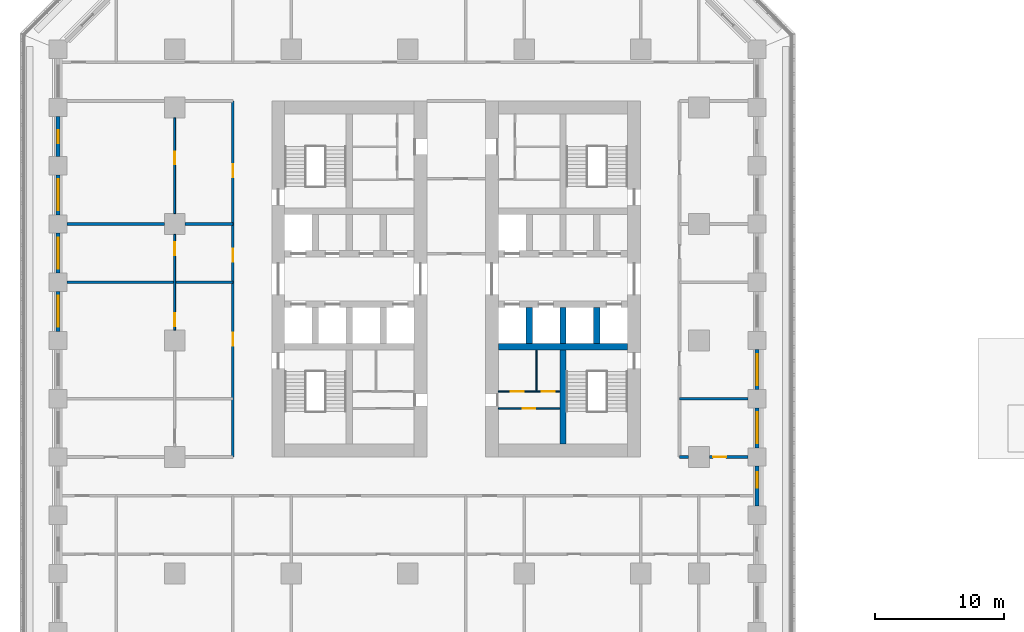
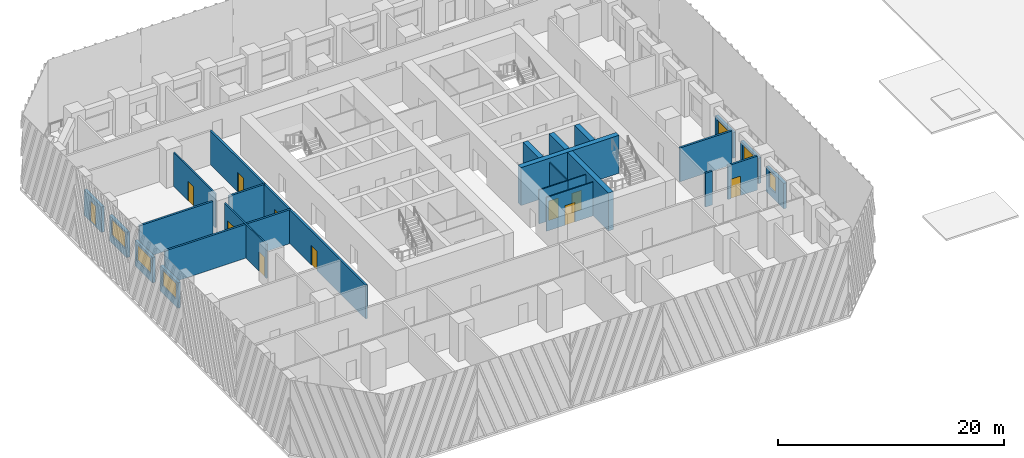
# One storey, part 5 of 15: 25 walls, 11 doors, 6 windows, 17 openings.
"""IFC4 building model written with IfcOpenShell, lengths in metres."""

from ifc_helpers import new_model, si_unit, direction, frame, frame_2d, origin, place, context, subcontext, project, spatial, rectangle, extrude, material, layer, layer_set, type_object, element, fill, save


model = new_model("IFC4")

# Units and contexts
model_context = context("Model", 3, precision=1e-05, world=origin(), true_north=direction((0.0, 1.0)))
body_context = subcontext(model_context, "Body", "Model", "MODEL_VIEW")
ifc_project = project(units=[si_unit("LENGTHUNIT", "METRE"), si_unit("AREAUNIT", "SQUARE_METRE"), si_unit("VOLUMEUNIT", "CUBIC_METRE"), si_unit("PLANEANGLEUNIT", "RADIAN"), si_unit("MASSUNIT", "GRAM", prefix="KILO")], contexts=[model_context])

# Site, building, storey
site_placement = place(None, origin())
site = spatial("IfcSite", under=ifc_project, at=site_placement, CompositionType="ELEMENT")
building_placement = place(site_placement, origin())
building = spatial("IfcBuilding", under=site, at=building_placement, Name="Corbel Stack Research Tower", CompositionType="ELEMENT")
storey_placement = place(building_placement, frame((0.0, 0.0, 23.60009765625)))
storey = spatial("IfcBuildingStorey", under=building, at=storey_placement, Name="L05", CompositionType="ELEMENT", Elevation=23.60009765625)

# Walls
ifc_material_1 = material(Name="Concrete C70/85", Category="concrete")
ifc_layer_1 = layer(ifc_material_1, 0.5)
ifc_layer_set_1 = layer_set([ifc_layer_1], Name="Concrete C70/85")
wall_type_1 = type_object("IfcWallType", Name="CW-500-70", PredefinedType="SHEAR", material=ifc_layer_set_1)
wall_1_placement = place(storey_placement, frame((7.0, -0.5, 0.0), z_axis=(0.0, 0.0, 1.0), x_axis=(1.0, 0.0, 0.0)))
element("IfcWall", 1, at=wall_1_placement, inside=storey, type_object=wall_type_1, Name="East core wall, south row back L05", PredefinedType="SHEAR", context=body_context, shape_type="SweptSolid", body=[
    extrude(rectangle(XDim=10.0, YDim=0.5, at=frame_2d((5.0, 0.0))), origin(), (0.0, 0.0, 1.0), 4.099853515625),
])
for number, where, z_axis, x_axis, name in (
    (2, (9.375, -0.25, 0.0), (0.0, 0.0, 1.0), (0.0, 1.0, 0.0), "East core wall, south shaft 1 L05"),
    (3, (12.0, -0.25, 0.0), (0.0, 0.0, 1.0), (0.0, 1.0, 0.0), "East core wall, south shaft 2 L05"),
    (4, (14.625, -0.25, 0.0), (0.0, 0.0, 1.0), (0.0, 1.0, 0.0), "East core wall, south shaft 3 L05"),
):
    element("IfcWall", number, at=place(storey_placement, frame(where, z_axis=z_axis, x_axis=x_axis)), inside=storey, type_object=wall_type_1, Name=name, PredefinedType="SHEAR", context=body_context, shape_type="SweptSolid", body=[
        extrude(rectangle(XDim=2.800048828125, YDim=0.5, at=frame_2d((1.39990234375, 0.0))), origin(), (0.0, 0.0, 1.0), 4.099853515625),
    ])
wall_2_placement = place(storey_placement, frame((12.0, -8.0, 0.0), z_axis=(0.0, 0.0, 1.0), x_axis=(0.0, 1.0, 0.0)))
element("IfcWall", 5, at=wall_2_placement, inside=storey, type_object=wall_type_1, Name="East core wall, south stair and WC L05", PredefinedType="SHEAR", context=body_context, shape_type="SweptSolid", body=[
    extrude(rectangle(XDim=7.25, YDim=0.5, at=frame_2d((3.625, 0.0))), origin(), (0.0, 0.0, 1.0), 4.099853515625),
])

# Wall, opening, door
ifc_material_2 = material(Name="Gypsum board")
ifc_layer_2 = layer(ifc_material_2, 0.10009765625)
ifc_layer_set_2 = layer_set([ifc_layer_2], Name="Gypsum board")
wall_type_2 = type_object("IfcWallType", Name="Core partition 100", PredefinedType="PARTITIONING", material=ifc_layer_set_2)
wall_3_placement = place(storey_placement, frame((7.0, -5.2451171875, 0.0), z_axis=(0.0, 0.0, 1.0), x_axis=(1.0, 0.0, 0.0)))
wall_3 = element("IfcWall", 6, at=wall_3_placement, inside=storey, type_object=wall_type_2, Name="Core partition E", PredefinedType="PARTITIONING", context=body_context, shape_type="SweptSolid", body=[
    extrude(rectangle(XDim=4.75, YDim=0.10009765625, at=frame_2d((2.375, 0.0))), origin(), (0.0, 0.0, 1.0), 3.64990234375),
])
opening_1_placement = place(wall_3_placement, frame((1.875, 0.0, 0.0)))
opening_1 = element("IfcOpeningElement", 7, at=opening_1_placement, cuts=wall_3, Name="Opening CR-E24-W2-1000", PredefinedType="OPENING", context=body_context, shape_type="SweptSolid", body=[
    extrude(rectangle(XDim=1.0, YDim=2.10009765625, at=frame_2d((0.5, 1.050048828125))), frame((0.0, 0.06005859375, 0.0), z_axis=(0.0, -1.0, 0.0), x_axis=(1.0, 0.0, 0.0)), (0.0, 0.0, 1.0), 0.1201171875),
])
ifc_material_3 = material(Name="Painted timber door", Category="wood")
door_type_1 = type_object("IfcDoorType", Name="WC door 1000 x 2100 left hand", OperationType="SINGLE_SWING_LEFT", PredefinedType="DOOR", material=ifc_material_3)
door_1_placement = place(opening_1_placement, origin())
door_1 = element("IfcDoor", 8, at=door_1_placement, inside=storey, type_object=door_type_1, Name="Men's WC door E core", OperationType="SINGLE_SWING_LEFT", OverallHeight=2.10009765625, OverallWidth=1.0, PredefinedType="DOOR", context=body_context, shape_type="SweptSolid", body=[
    extrude(rectangle(XDim=1.0, YDim=2.10009765625, at=frame_2d((0.5, 1.050048828125))), frame((0.0, 0.02490234375, 0.0), z_axis=(0.0, -1.0, 0.0), x_axis=(1.0, 0.0, 0.0)), (0.0, 0.0, 1.0), 0.050048828125),
])
fill(opening_1, door_1)

wall_4_placement = place(storey_placement, frame((7.0, -3.93994140625, 0.0), z_axis=(0.0, 0.0, 1.0), x_axis=(1.0, 0.0, 0.0)))
wall_4 = element("IfcWall", 9, at=wall_4_placement, inside=storey, type_object=wall_type_2, Name="Core partition E", PredefinedType="PARTITIONING", context=body_context, shape_type="SweptSolid", body=[
    extrude(rectangle(XDim=2.945068359375, YDim=0.10009765625, at=frame_2d((1.47265625, 0.0))), origin(), (0.0, 0.0, 1.0), 3.64990234375),
])
opening_2_placement = place(wall_4_placement, frame((0.972412109375, 0.0, 0.0)))
opening_2 = element("IfcOpeningElement", 10, at=opening_2_placement, cuts=wall_4, Name="Opening CR-E24-W3-1000", PredefinedType="OPENING", context=body_context, shape_type="SweptSolid", body=[
    extrude(rectangle(XDim=1.0, YDim=2.10009765625, at=frame_2d((0.5, 1.050048828125))), frame((0.0, 0.06005859375, 0.0), z_axis=(0.0, -1.0, 0.0), x_axis=(1.0, 0.0, 0.0)), (0.0, 0.0, 1.0), 0.1201171875),
])
ifc_material_4 = material(Name="Painted timber door", Category="wood")
door_type_2 = type_object("IfcDoorType", Name="WC door 1000 x 2100 right hand", OperationType="SINGLE_SWING_RIGHT", PredefinedType="DOOR", material=ifc_material_4)
door_2_placement = place(opening_2_placement, origin())
door_2 = element("IfcDoor", 11, at=door_2_placement, inside=storey, type_object=door_type_2, Name="Women's WC door E core", OperationType="SINGLE_SWING_RIGHT", OverallHeight=2.10009765625, OverallWidth=1.0, PredefinedType="DOOR", context=body_context, shape_type="SweptSolid", body=[
    extrude(rectangle(XDim=1.0, YDim=2.10009765625, at=frame_2d((0.5, 1.050048828125))), frame((0.0, 0.02490234375, 0.0), z_axis=(0.0, -1.0, 0.0), x_axis=(1.0, 0.0, 0.0)), (0.0, 0.0, 1.0), 0.050048828125),
])
fill(opening_2, door_2)

wall_5_placement = place(storey_placement, frame((9.945068359375, -3.93994140625, 0.0), z_axis=(0.0, 0.0, 1.0), x_axis=(1.0, 0.0, 0.0)))
wall_5 = element("IfcWall", 12, at=wall_5_placement, inside=storey, type_object=wall_type_2, Name="Core partition E", PredefinedType="PARTITIONING", context=body_context, shape_type="SweptSolid", body=[
    extrude(rectangle(XDim=1.804931640625, YDim=0.10009765625, at=frame_2d((0.90234375, 0.0))), origin(), (0.0, 0.0, 1.0), 3.64990234375),
])
opening_3_placement = place(wall_5_placement, frame((0.402587890625, 0.0, 0.0)))
opening_3 = element("IfcOpeningElement", 13, at=opening_3_placement, cuts=wall_5, Name="Opening CR-E24-W4-1000", PredefinedType="OPENING", context=body_context, shape_type="SweptSolid", body=[
    extrude(rectangle(XDim=1.0, YDim=2.10009765625, at=frame_2d((0.5, 1.050048828125))), frame((0.0, 0.06005859375, 0.0), z_axis=(0.0, -1.0, 0.0), x_axis=(1.0, 0.0, 0.0)), (0.0, 0.0, 1.0), 0.1201171875),
])
door_3_placement = place(opening_3_placement, origin())
door_3 = element("IfcDoor", 14, at=door_3_placement, inside=storey, type_object=door_type_1, Name="Accessible WC door E core", OperationType="SINGLE_SWING_LEFT", OverallHeight=2.10009765625, OverallWidth=1.0, PredefinedType="DOOR", context=body_context, shape_type="SweptSolid", body=[
    extrude(rectangle(XDim=1.0, YDim=2.10009765625, at=frame_2d((0.5, 1.050048828125))), frame((0.0, 0.02490234375, 0.0), z_axis=(0.0, -1.0, 0.0), x_axis=(1.0, 0.0, 0.0)), (0.0, 0.0, 1.0), 0.050048828125),
])
fill(opening_3, door_3)

# Wall
wall_6_placement = place(storey_placement, frame((9.945068359375, -3.93994140625, 0.0), z_axis=(0.0, 0.0, 1.0), x_axis=(0.0, 1.0, 0.0)))
element("IfcWall", 15, at=wall_6_placement, inside=storey, type_object=wall_type_2, Name="Core partition E", PredefinedType="PARTITIONING", context=body_context, shape_type="SweptSolid", body=[
    extrude(rectangle(XDim=3.18994140625, YDim=0.10009765625, at=frame_2d((1.594970703125, 0.0))), origin(), (0.0, 0.0, 1.0), 3.64990234375),
])

# Wall, openings, doors
ifc_material_5 = material(Name="Fire-rated gypsum board partition on steel studs", Category="steel")
ifc_layer_3 = layer(ifc_material_5, 0.199951171875)
ifc_layer_set_3 = layer_set([ifc_layer_3], Name="Fire-rated gypsum board partition on steel studs")
wall_type_3 = type_object("IfcWallType", Name="Fire-rated partition 200 EI 60", PredefinedType="PARTITIONING", material=ifc_layer_set_3)
wall_7_placement = place(storey_placement, frame((-13.5, -9.0, 0.0), z_axis=(0.0, 0.0, 1.0), x_axis=(0.0, 1.0, 0.0)))
wall_7 = element("IfcWall", 16, at=wall_7_placement, inside=storey, type_object=wall_type_3, Name="Partition L05-007", PredefinedType="PARTITIONING", context=body_context, shape_type="SweptSolid", body=[
    extrude(rectangle(XDim=27.5, YDim=0.199951171875, at=frame_2d((13.75, 0.0))), origin(), (0.0, 0.0, 1.0), 3.64990234375),
])
opening_4_placement = place(wall_7_placement, frame((8.60009765625, 0.0, 0.0)))
opening_4 = element("IfcOpeningElement", 17, at=opening_4_placement, cuts=wall_7, Name="Opening B1V1-013", PredefinedType="OPENING", context=body_context, shape_type="SweptSolid", body=[
    extrude(rectangle(XDim=1.0, YDim=2.10009765625, at=frame_2d((0.5, 1.050048828125))), frame((0.0, 0.10986328125, 0.0), z_axis=(0.0, -1.0, 0.0), x_axis=(1.0, 0.0, 0.0)), (0.0, 0.0, 1.0), 0.219970703125),
])
opening_5_placement = place(wall_7_placement, frame((15.10009765625, 0.0, 0.0)))
opening_5 = element("IfcOpeningElement", 18, at=opening_5_placement, cuts=wall_7, Name="Opening B1V1-014", PredefinedType="OPENING", context=body_context, shape_type="SweptSolid", body=[
    extrude(rectangle(XDim=1.0, YDim=2.10009765625, at=frame_2d((0.5, 1.050048828125))), frame((0.0, 0.10986328125, 0.0), z_axis=(0.0, -1.0, 0.0), x_axis=(1.0, 0.0, 0.0)), (0.0, 0.0, 1.0), 0.219970703125),
])
opening_6_placement = place(wall_7_placement, frame((21.60009765625, 0.0, 0.0)))
opening_6 = element("IfcOpeningElement", 19, at=opening_6_placement, cuts=wall_7, Name="Opening B1V1-015", PredefinedType="OPENING", context=body_context, shape_type="SweptSolid", body=[
    extrude(rectangle(XDim=1.0, YDim=2.10009765625, at=frame_2d((0.5, 1.050048828125))), frame((0.0, 0.10986328125, 0.0), z_axis=(0.0, -1.0, 0.0), x_axis=(1.0, 0.0, 0.0)), (0.0, 0.0, 1.0), 0.219970703125),
])
ifc_material_6 = material(Name="Painted steel fire door", Category="steel")
door_type_3 = type_object("IfcDoorType", Name="Fire door FD30S 1000 x 2100", OperationType="NOTDEFINED", PredefinedType="DOOR", material=ifc_material_6)
door_4_placement = place(opening_4_placement, origin())
door_4 = element("IfcDoor", 20, at=door_4_placement, inside=storey, type_object=door_type_3, Name="Door B1V1-013", OperationType="SINGLE_SWING_LEFT", OverallHeight=2.10009765625, OverallWidth=1.0, PredefinedType="DOOR", context=body_context, shape_type="SweptSolid", body=[
    extrude(rectangle(XDim=1.0, YDim=2.10009765625, at=frame_2d((0.5, 1.050048828125))), frame((0.0, 0.02490234375, 0.0), z_axis=(0.0, -1.0, 0.0), x_axis=(1.0, 0.0, 0.0)), (0.0, 0.0, 1.0), 0.050048828125),
])
fill(opening_4, door_4)
door_5_placement = place(opening_5_placement, origin())
door_5 = element("IfcDoor", 21, at=door_5_placement, inside=storey, type_object=door_type_3, Name="Door B1V1-014", OperationType="SINGLE_SWING_RIGHT", OverallHeight=2.10009765625, OverallWidth=1.0, PredefinedType="DOOR", context=body_context, shape_type="SweptSolid", body=[
    extrude(rectangle(XDim=1.0, YDim=2.10009765625, at=frame_2d((0.5, 1.050048828125))), frame((0.0, 0.02490234375, 0.0), z_axis=(0.0, -1.0, 0.0), x_axis=(1.0, 0.0, 0.0)), (0.0, 0.0, 1.0), 0.050048828125),
])
fill(opening_5, door_5)
door_6_placement = place(opening_6_placement, origin())
door_6 = element("IfcDoor", 22, at=door_6_placement, inside=storey, type_object=door_type_3, Name="Door B1V1-015", OperationType="SINGLE_SWING_RIGHT", OverallHeight=2.10009765625, OverallWidth=1.0, PredefinedType="DOOR", context=body_context, shape_type="SweptSolid", body=[
    extrude(rectangle(XDim=1.0, YDim=2.10009765625, at=frame_2d((0.5, 1.050048828125))), frame((0.0, 0.02490234375, 0.0), z_axis=(0.0, -1.0, 0.0), x_axis=(1.0, 0.0, 0.0)), (0.0, 0.0, 1.0), 0.050048828125),
])
fill(opening_6, door_6)

# Wall
wall_8_placement = place(storey_placement, frame((21.0, -9.0, 0.0), z_axis=(0.0, 0.0, 1.0), x_axis=(1.0, 0.0, 0.0)))
element("IfcWall", 23, at=wall_8_placement, inside=storey, type_object=wall_type_3, Name="Partition L05-028", PredefinedType="PARTITIONING", context=body_context, shape_type="SweptSolid", body=[
    extrude(rectangle(XDim=0.699951171875, YDim=0.199951171875, at=frame_2d((0.35009765625, 0.0))), origin(), (0.0, 0.0, 1.0), 3.64990234375),
])

# Wall, opening, door
wall_9_placement = place(storey_placement, frame((23.300048828125, -9.0, 0.0), z_axis=(0.0, 0.0, 1.0), x_axis=(1.0, 0.0, 0.0)))
wall_9 = element("IfcWall", 24, at=wall_9_placement, inside=storey, type_object=wall_type_3, Name="Partition L05-029", PredefinedType="PARTITIONING", context=body_context, shape_type="SweptSolid", body=[
    extrude(rectangle(XDim=3.0, YDim=0.199951171875, at=frame_2d((1.5, 0.0))), origin(), (0.0, 0.0, 1.0), 3.64990234375),
])
opening_7_placement = place(wall_9_placement, frame((0.300048828125, 0.0, 0.0)))
opening_7 = element("IfcOpeningElement", 25, at=opening_7_placement, cuts=wall_9, Name="Opening B1V1-025", PredefinedType="OPENING", context=body_context, shape_type="SweptSolid", body=[
    extrude(rectangle(XDim=1.0, YDim=2.10009765625, at=frame_2d((0.5, 1.050048828125))), frame((0.0, 0.10986328125, 0.0), z_axis=(0.0, -1.0, 0.0), x_axis=(1.0, 0.0, 0.0)), (0.0, 0.0, 1.0), 0.219970703125),
])
door_7_placement = place(opening_7_placement, origin())
door_7 = element("IfcDoor", 26, at=door_7_placement, inside=storey, type_object=door_type_3, Name="Door B1V1-025", OperationType="SINGLE_SWING_LEFT", OverallHeight=2.10009765625, OverallWidth=1.0, PredefinedType="DOOR", context=body_context, shape_type="SweptSolid", body=[
    extrude(rectangle(XDim=1.0, YDim=2.10009765625, at=frame_2d((0.5, 1.050048828125))), frame((0.0, 0.02490234375, 0.0), z_axis=(0.0, -1.0, 0.0), x_axis=(1.0, 0.0, 0.0)), (0.0, 0.0, 1.0), 0.050048828125),
])
fill(opening_7, door_7)

# Walls
wall_10_placement = place(storey_placement, frame((21.0, -4.5, 0.0), z_axis=(0.0, 0.0, 1.0), x_axis=(1.0, 0.0, 0.0)))
element("IfcWall", 27, at=wall_10_placement, inside=storey, type_object=wall_type_3, Name="Partition L05-031", PredefinedType="PARTITIONING", context=body_context, shape_type="SweptSolid", body=[
    extrude(rectangle(XDim=5.300048828125, YDim=0.199951171875, at=frame_2d((2.64990234375, 0.0))), origin(), (0.0, 0.0, 1.0), 3.64990234375),
])
wall_11_placement = place(storey_placement, frame((-26.300048828125, 4.5, 0.0), z_axis=(0.0, 0.0, 1.0), x_axis=(1.0, 0.0, 0.0)))
element("IfcWall", 28, at=wall_11_placement, inside=storey, type_object=wall_type_3, Name="Partition L05-032", PredefinedType="PARTITIONING", context=body_context, shape_type="SweptSolid", body=[
    extrude(rectangle(XDim=12.800048828125, YDim=0.199951171875, at=frame_2d((6.39990234375, 0.0))), origin(), (0.0, 0.0, 1.0), 3.64990234375),
])
wall_12_placement = place(storey_placement, frame((-26.300048828125, 9.0, 0.0), z_axis=(0.0, 0.0, 1.0), x_axis=(1.0, 0.0, 0.0)))
element("IfcWall", 29, at=wall_12_placement, inside=storey, type_object=wall_type_3, Name="Partition L05-035", PredefinedType="PARTITIONING", context=body_context, shape_type="SweptSolid", body=[
    extrude(rectangle(XDim=7.5, YDim=0.199951171875, at=frame_2d((3.75, 0.0))), origin(), (0.0, 0.0, 1.0), 3.64990234375),
])
wall_13_placement = place(storey_placement, frame((-17.199951171875, 9.0, 0.0), z_axis=(0.0, 0.0, 1.0), x_axis=(1.0, 0.0, 0.0)))
element("IfcWall", 30, at=wall_13_placement, inside=storey, type_object=wall_type_3, Name="Partition L05-036", PredefinedType="PARTITIONING", context=body_context, shape_type="SweptSolid", body=[
    extrude(rectangle(XDim=3.699951171875, YDim=0.199951171875, at=frame_2d((1.85009765625, 0.0))), origin(), (0.0, 0.0, 1.0), 3.64990234375),
])

# Wall, openings, doors
ifc_material_7 = material(Name="Gypsum board partition on steel studs", Category="steel")
ifc_layer_4 = layer(ifc_material_7, 0.14990234375)
ifc_layer_set_4 = layer_set([ifc_layer_4], Name="Gypsum board partition on steel studs")
wall_type_4 = type_object("IfcWallType", Name="Partition 150", PredefinedType="PARTITIONING", material=ifc_layer_set_4)
wall_14_placement = place(storey_placement, frame((-18.0, 0.800048828125, 0.0), z_axis=(0.0, 0.0, 1.0), x_axis=(0.0, 1.0, 0.0)))
wall_14 = element("IfcWall", 31, at=wall_14_placement, inside=storey, type_object=wall_type_4, Name="Partition L05-004", PredefinedType="PARTITIONING", context=body_context, shape_type="SweptSolid", body=[
    extrude(rectangle(XDim=7.39990234375, YDim=0.14990234375, at=frame_2d((3.699951171875, 0.0))), origin(), (0.0, 0.0, 1.0), 3.64990234375),
])
opening_8_placement = place(wall_14_placement, frame((0.300048828125, 0.0, 0.0)))
opening_8 = element("IfcOpeningElement", 32, at=opening_8_placement, cuts=wall_14, Name="Opening B1V1-002", PredefinedType="OPENING", context=body_context, shape_type="SweptSolid", body=[
    extrude(rectangle(XDim=1.0, YDim=2.10009765625, at=frame_2d((0.5, 1.050048828125))), frame((0.0, 0.0849609375, 0.0), z_axis=(0.0, -1.0, 0.0), x_axis=(1.0, 0.0, 0.0)), (0.0, 0.0, 1.0), 0.169921875),
])
opening_9_placement = place(wall_14_placement, frame((5.800048828125, 0.0, 0.0)))
opening_9 = element("IfcOpeningElement", 33, at=opening_9_placement, cuts=wall_14, Name="Opening B1V1-003", PredefinedType="OPENING", context=body_context, shape_type="SweptSolid", body=[
    extrude(rectangle(XDim=1.0, YDim=2.10009765625, at=frame_2d((0.5, 1.050048828125))), frame((0.0, 0.0849609375, 0.0), z_axis=(0.0, -1.0, 0.0), x_axis=(1.0, 0.0, 0.0)), (0.0, 0.0, 1.0), 0.169921875),
])
ifc_material_8 = material(Name="Painted timber door", Category="wood")
door_type_4 = type_object("IfcDoorType", Name="Single door 1000 x 2100", OperationType="NOTDEFINED", PredefinedType="DOOR", material=ifc_material_8)
door_8_placement = place(opening_8_placement, origin())
door_8 = element("IfcDoor", 34, at=door_8_placement, inside=storey, type_object=door_type_4, Name="Door B1V1-002", OperationType="SINGLE_SWING_LEFT", OverallHeight=2.10009765625, OverallWidth=1.0, PredefinedType="DOOR", context=body_context, shape_type="SweptSolid", body=[
    extrude(rectangle(XDim=1.0, YDim=2.10009765625, at=frame_2d((0.5, 1.050048828125))), frame((0.0, 0.02490234375, 0.0), z_axis=(0.0, -1.0, 0.0), x_axis=(1.0, 0.0, 0.0)), (0.0, 0.0, 1.0), 0.050048828125),
])
fill(opening_8, door_8)
door_9_placement = place(opening_9_placement, origin())
door_9 = element("IfcDoor", 35, at=door_9_placement, inside=storey, type_object=door_type_4, Name="Door B1V1-003", OperationType="SINGLE_SWING_RIGHT", OverallHeight=2.10009765625, OverallWidth=1.0, PredefinedType="DOOR", context=body_context, shape_type="SweptSolid", body=[
    extrude(rectangle(XDim=1.0, YDim=2.10009765625, at=frame_2d((0.5, 1.050048828125))), frame((0.0, 0.02490234375, 0.0), z_axis=(0.0, -1.0, 0.0), x_axis=(1.0, 0.0, 0.0)), (0.0, 0.0, 1.0), 0.050048828125),
])
fill(opening_9, door_9)

# Wall, opening, door
wall_15_placement = place(storey_placement, frame((-18.0, 9.800048828125, 0.0), z_axis=(0.0, 0.0, 1.0), x_axis=(0.0, 1.0, 0.0)))
wall_15 = element("IfcWall", 36, at=wall_15_placement, inside=storey, type_object=wall_type_4, Name="Partition L05-005", PredefinedType="PARTITIONING", context=body_context, shape_type="SweptSolid", body=[
    extrude(rectangle(XDim=7.39990234375, YDim=0.14990234375, at=frame_2d((3.699951171875, 0.0))), origin(), (0.0, 0.0, 1.0), 3.64990234375),
])
opening_10_placement = place(wall_15_placement, frame((3.800048828125, 0.0, 0.0)))
opening_10 = element("IfcOpeningElement", 37, at=opening_10_placement, cuts=wall_15, Name="Opening B1V1-004", PredefinedType="OPENING", context=body_context, shape_type="SweptSolid", body=[
    extrude(rectangle(XDim=1.0, YDim=2.10009765625, at=frame_2d((0.5, 1.050048828125))), frame((0.0, 0.0849609375, 0.0), z_axis=(0.0, -1.0, 0.0), x_axis=(1.0, 0.0, 0.0)), (0.0, 0.0, 1.0), 0.169921875),
])
door_10_placement = place(opening_10_placement, origin())
door_10 = element("IfcDoor", 38, at=door_10_placement, inside=storey, type_object=door_type_4, Name="Door B1V1-004", OperationType="SINGLE_SWING_RIGHT", OverallHeight=2.10009765625, OverallWidth=1.0, PredefinedType="DOOR", context=body_context, shape_type="SweptSolid", body=[
    extrude(rectangle(XDim=1.0, YDim=2.10009765625, at=frame_2d((0.5, 1.050048828125))), frame((0.0, 0.02490234375, 0.0), z_axis=(0.0, -1.0, 0.0), x_axis=(1.0, 0.0, 0.0)), (0.0, 0.0, 1.0), 0.050048828125),
])
fill(opening_10, door_10)

# Wall, opening, window
ifc_material_9 = material(Name="Concrete C45/55", Category="concrete")
ifc_layer_5 = layer(ifc_material_9, 0.300048828125)
ifc_layer_set_5 = layer_set([ifc_layer_5], Name="Concrete C45/55")
wall_type_5 = type_object("IfcWallType", Name="Terracotta-faced concrete wall 300", PredefinedType="SOLIDWALL", material=ifc_layer_set_5)
wall_16_placement = place(storey_placement, frame((27.0, -9.699951171875, 0.0), z_axis=(0.0, 0.0, 1.0), x_axis=(0.0, -1.0, 0.0)))
wall_16 = element("IfcWall", 39, at=wall_16_placement, inside=storey, type_object=wall_type_5, Name="Facade wall L05 E03", PredefinedType="SOLIDWALL", context=body_context, shape_type="SweptSolid", body=[
    extrude(rectangle(XDim=3.10009765625, YDim=0.300048828125, at=frame_2d((1.550048828125, 0.0))), origin(), (0.0, 0.0, 1.0), 2.75),
])
opening_11_placement = place(wall_16_placement, frame((0.47509765625, 0.0, 0.800048828125)))
opening_11 = element("IfcOpeningElement", 40, at=opening_11_placement, cuts=wall_16, Name="Opening W2", PredefinedType="OPENING", context=body_context, shape_type="SweptSolid", body=[
    extrude(rectangle(XDim=1.199951171875, YDim=1.699951171875, at=frame_2d((0.60009765625, 0.85009765625))), frame((0.0, 0.159912109375, 0.0), z_axis=(0.0, -1.0, 0.0), x_axis=(1.0, 0.0, 0.0)), (0.0, 0.0, 1.0), 0.320068359375),
])
ifc_material_10 = material(Name="Aluminium frame, clear double glazing", Category="aluminium")
window_type_1 = type_object("IfcWindowType", Name="Window W2 1200 x 1700", PartitioningType="SINGLE_PANEL", PredefinedType="WINDOW", material=ifc_material_10)
window_1_placement = place(opening_11_placement, origin())
window_1 = element("IfcWindow", 41, at=window_1_placement, inside=storey, type_object=window_type_1, Name="Window W2 L05 E03", OverallHeight=1.699951171875, OverallWidth=1.199951171875, PartitioningType="SINGLE_PANEL", PredefinedType="WINDOW", context=body_context, shape_type="SweptSolid", body=[
    extrude(rectangle(XDim=1.199951171875, YDim=1.699951171875, at=frame_2d((0.60009765625, 0.85009765625))), frame((0.0, 0.030029296875, 0.0), z_axis=(0.0, -1.0, 0.0), x_axis=(1.0, 0.0, 0.0)), (0.0, 0.0, 1.0), 0.06005859375),
])
fill(opening_11, window_1)

wall_17_placement = place(storey_placement, frame((27.0, -5.199951171875, 0.0), z_axis=(0.0, 0.0, 1.0), x_axis=(0.0, -1.0, 0.0)))
wall_17 = element("IfcWall", 42, at=wall_17_placement, inside=storey, type_object=wall_type_5, Name="Facade wall L05 E04", PredefinedType="SOLIDWALL", context=body_context, shape_type="SweptSolid", body=[
    extrude(rectangle(XDim=3.10009765625, YDim=0.300048828125, at=frame_2d((1.550048828125, 0.0))), origin(), (0.0, 0.0, 1.0), 2.75),
])
opening_12_placement = place(wall_17_placement, frame((0.35009765625, 0.0, 0.800048828125)))
opening_12 = element("IfcOpeningElement", 43, at=opening_12_placement, cuts=wall_17, Name="Opening W1", PredefinedType="OPENING", context=body_context, shape_type="SweptSolid", body=[
    extrude(rectangle(XDim=2.39990234375, YDim=1.699951171875, at=frame_2d((1.199951171875, 0.85009765625))), frame((0.0, 0.159912109375, 0.0), z_axis=(0.0, -1.0, 0.0), x_axis=(1.0, 0.0, 0.0)), (0.0, 0.0, 1.0), 0.320068359375),
])
ifc_material_11 = material(Name="Aluminium frame, clear double glazing", Category="aluminium")
window_type_2 = type_object("IfcWindowType", Name="Window W1 2400 x 1700", PartitioningType="SINGLE_PANEL", PredefinedType="WINDOW", material=ifc_material_11)
window_2_placement = place(opening_12_placement, origin())
window_2 = element("IfcWindow", 44, at=window_2_placement, inside=storey, type_object=window_type_2, Name="Window W1 L05 E04", OverallHeight=1.699951171875, OverallWidth=2.39990234375, PartitioningType="SINGLE_PANEL", PredefinedType="WINDOW", context=body_context, shape_type="SweptSolid", body=[
    extrude(rectangle(XDim=2.39990234375, YDim=1.699951171875, at=frame_2d((1.199951171875, 0.85009765625))), frame((0.0, 0.030029296875, 0.0), z_axis=(0.0, -1.0, 0.0), x_axis=(1.0, 0.0, 0.0)), (0.0, 0.0, 1.0), 0.06005859375),
])
fill(opening_12, window_2)

wall_18_placement = place(storey_placement, frame((27.0, -0.699951171875, 0.0), z_axis=(0.0, 0.0, 1.0), x_axis=(0.0, -1.0, 0.0)))
wall_18 = element("IfcWall", 45, at=wall_18_placement, inside=storey, type_object=wall_type_5, Name="Facade wall L05 E05", PredefinedType="SOLIDWALL", context=body_context, shape_type="SweptSolid", body=[
    extrude(rectangle(XDim=3.10009765625, YDim=0.300048828125, at=frame_2d((1.550048828125, 0.0))), origin(), (0.0, 0.0, 1.0), 2.75),
])
opening_13_placement = place(wall_18_placement, frame((0.35009765625, 0.0, 0.800048828125)))
opening_13 = element("IfcOpeningElement", 46, at=opening_13_placement, cuts=wall_18, Name="Opening W1", PredefinedType="OPENING", context=body_context, shape_type="SweptSolid", body=[
    extrude(rectangle(XDim=2.39990234375, YDim=1.699951171875, at=frame_2d((1.199951171875, 0.85009765625))), frame((0.0, 0.159912109375, 0.0), z_axis=(0.0, -1.0, 0.0), x_axis=(1.0, 0.0, 0.0)), (0.0, 0.0, 1.0), 0.320068359375),
])
window_3_placement = place(opening_13_placement, origin())
window_3 = element("IfcWindow", 47, at=window_3_placement, inside=storey, type_object=window_type_2, Name="Window W1 L05 E05", OverallHeight=1.699951171875, OverallWidth=2.39990234375, PartitioningType="SINGLE_PANEL", PredefinedType="WINDOW", context=body_context, shape_type="SweptSolid", body=[
    extrude(rectangle(XDim=2.39990234375, YDim=1.699951171875, at=frame_2d((1.199951171875, 0.85009765625))), frame((0.0, 0.030029296875, 0.0), z_axis=(0.0, -1.0, 0.0), x_axis=(1.0, 0.0, 0.0)), (0.0, 0.0, 1.0), 0.06005859375),
])
fill(opening_13, window_3)

# Wall, opening, door
wall_19_placement = place(storey_placement, frame((-27.0, 14.199951171875, 0.0), z_axis=(0.0, 0.0, 1.0), x_axis=(0.0, 1.0, 0.0)))
wall_19 = element("IfcWall", 48, at=wall_19_placement, inside=storey, type_object=wall_type_5, Name="Facade wall L05 W02", PredefinedType="SOLIDWALL", context=body_context, shape_type="SweptSolid", body=[
    extrude(rectangle(XDim=3.10009765625, YDim=0.300048828125, at=frame_2d((1.550048828125, 0.0))), origin(), (0.0, 0.0, 1.0), 2.75),
])
opening_14_placement = place(wall_19_placement, frame((1.050048828125, 0.0, 0.0)))
opening_14 = element("IfcOpeningElement", 49, at=opening_14_placement, cuts=wall_19, Name="Opening L05-B10", PredefinedType="OPENING", context=body_context, shape_type="SweptSolid", body=[
    extrude(rectangle(XDim=1.0, YDim=2.199951171875, at=frame_2d((0.5, 1.10009765625))), frame((0.0, 0.159912109375, 0.0), z_axis=(0.0, -1.0, 0.0), x_axis=(1.0, 0.0, 0.0)), (0.0, 0.0, 1.0), 0.320068359375),
])
ifc_material_12 = material(Name="Aluminium frame, clear double glazing", Category="aluminium")
door_type_5 = type_object("IfcDoorType", Name="Balcony door BD1 1000 x 2200", OperationType="NOTDEFINED", PredefinedType="DOOR", material=ifc_material_12)
door_11_placement = place(opening_14_placement, origin())
door_11 = element("IfcDoor", 50, at=door_11_placement, inside=storey, type_object=door_type_5, Name="Balcony door L05-B10", OperationType="SINGLE_SWING_LEFT", OverallHeight=2.199951171875, OverallWidth=1.0, PredefinedType="DOOR", context=body_context, shape_type="SweptSolid", body=[
    extrude(rectangle(XDim=1.0, YDim=2.199951171875, at=frame_2d((0.5, 1.10009765625))), frame((0.0, 0.02490234375, 0.0), z_axis=(0.0, -1.0, 0.0), x_axis=(1.0, 0.0, 0.0)), (0.0, 0.0, 1.0), 0.050048828125),
])
fill(opening_14, door_11)

# Wall, opening, window
wall_20_placement = place(storey_placement, frame((-27.0, 9.699951171875, 0.0), z_axis=(0.0, 0.0, 1.0), x_axis=(0.0, 1.0, 0.0)))
wall_20 = element("IfcWall", 51, at=wall_20_placement, inside=storey, type_object=wall_type_5, Name="Facade wall L05 W03", PredefinedType="SOLIDWALL", context=body_context, shape_type="SweptSolid", body=[
    extrude(rectangle(XDim=3.10009765625, YDim=0.300048828125, at=frame_2d((1.550048828125, 0.0))), origin(), (0.0, 0.0, 1.0), 2.75),
])
opening_15_placement = place(wall_20_placement, frame((0.35009765625, 0.0, 0.800048828125)))
opening_15 = element("IfcOpeningElement", 52, at=opening_15_placement, cuts=wall_20, Name="Opening W1", PredefinedType="OPENING", context=body_context, shape_type="SweptSolid", body=[
    extrude(rectangle(XDim=2.39990234375, YDim=1.699951171875, at=frame_2d((1.199951171875, 0.85009765625))), frame((0.0, 0.159912109375, 0.0), z_axis=(0.0, -1.0, 0.0), x_axis=(1.0, 0.0, 0.0)), (0.0, 0.0, 1.0), 0.320068359375),
])
window_4_placement = place(opening_15_placement, origin())
window_4 = element("IfcWindow", 53, at=window_4_placement, inside=storey, type_object=window_type_2, Name="Window W1 L05 W03", OverallHeight=1.699951171875, OverallWidth=2.39990234375, PartitioningType="SINGLE_PANEL", PredefinedType="WINDOW", context=body_context, shape_type="SweptSolid", body=[
    extrude(rectangle(XDim=2.39990234375, YDim=1.699951171875, at=frame_2d((1.199951171875, 0.85009765625))), frame((0.0, 0.030029296875, 0.0), z_axis=(0.0, -1.0, 0.0), x_axis=(1.0, 0.0, 0.0)), (0.0, 0.0, 1.0), 0.06005859375),
])
fill(opening_15, window_4)

wall_21_placement = place(storey_placement, frame((-27.0, 5.199951171875, 0.0), z_axis=(0.0, 0.0, 1.0), x_axis=(0.0, 1.0, 0.0)))
wall_21 = element("IfcWall", 54, at=wall_21_placement, inside=storey, type_object=wall_type_5, Name="Facade wall L05 W04", PredefinedType="SOLIDWALL", context=body_context, shape_type="SweptSolid", body=[
    extrude(rectangle(XDim=3.10009765625, YDim=0.300048828125, at=frame_2d((1.550048828125, 0.0))), origin(), (0.0, 0.0, 1.0), 2.75),
])
opening_16_placement = place(wall_21_placement, frame((0.35009765625, 0.0, 0.800048828125)))
opening_16 = element("IfcOpeningElement", 55, at=opening_16_placement, cuts=wall_21, Name="Opening W1", PredefinedType="OPENING", context=body_context, shape_type="SweptSolid", body=[
    extrude(rectangle(XDim=2.39990234375, YDim=1.699951171875, at=frame_2d((1.199951171875, 0.85009765625))), frame((0.0, 0.159912109375, 0.0), z_axis=(0.0, -1.0, 0.0), x_axis=(1.0, 0.0, 0.0)), (0.0, 0.0, 1.0), 0.320068359375),
])
window_5_placement = place(opening_16_placement, origin())
window_5 = element("IfcWindow", 56, at=window_5_placement, inside=storey, type_object=window_type_2, Name="Window W1 L05 W04", OverallHeight=1.699951171875, OverallWidth=2.39990234375, PartitioningType="SINGLE_PANEL", PredefinedType="WINDOW", context=body_context, shape_type="SweptSolid", body=[
    extrude(rectangle(XDim=2.39990234375, YDim=1.699951171875, at=frame_2d((1.199951171875, 0.85009765625))), frame((0.0, 0.030029296875, 0.0), z_axis=(0.0, -1.0, 0.0), x_axis=(1.0, 0.0, 0.0)), (0.0, 0.0, 1.0), 0.06005859375),
])
fill(opening_16, window_5)

wall_22_placement = place(storey_placement, frame((-27.0, 0.699951171875, 0.0), z_axis=(0.0, 0.0, 1.0), x_axis=(0.0, 1.0, 0.0)))
wall_22 = element("IfcWall", 57, at=wall_22_placement, inside=storey, type_object=wall_type_5, Name="Facade wall L05 W05", PredefinedType="SOLIDWALL", context=body_context, shape_type="SweptSolid", body=[
    extrude(rectangle(XDim=3.10009765625, YDim=0.300048828125, at=frame_2d((1.550048828125, 0.0))), origin(), (0.0, 0.0, 1.0), 2.75),
])
opening_17_placement = place(wall_22_placement, frame((0.35009765625, 0.0, 0.800048828125)))
opening_17 = element("IfcOpeningElement", 58, at=opening_17_placement, cuts=wall_22, Name="Opening W1", PredefinedType="OPENING", context=body_context, shape_type="SweptSolid", body=[
    extrude(rectangle(XDim=2.39990234375, YDim=1.699951171875, at=frame_2d((1.199951171875, 0.85009765625))), frame((0.0, 0.159912109375, 0.0), z_axis=(0.0, -1.0, 0.0), x_axis=(1.0, 0.0, 0.0)), (0.0, 0.0, 1.0), 0.320068359375),
])
window_6_placement = place(opening_17_placement, origin())
window_6 = element("IfcWindow", 59, at=window_6_placement, inside=storey, type_object=window_type_2, Name="Window W1 L05 W05", OverallHeight=1.699951171875, OverallWidth=2.39990234375, PartitioningType="SINGLE_PANEL", PredefinedType="WINDOW", context=body_context, shape_type="SweptSolid", body=[
    extrude(rectangle(XDim=2.39990234375, YDim=1.699951171875, at=frame_2d((1.199951171875, 0.85009765625))), frame((0.0, 0.030029296875, 0.0), z_axis=(0.0, -1.0, 0.0), x_axis=(1.0, 0.0, 0.0)), (0.0, 0.0, 1.0), 0.06005859375),
])
fill(opening_17, window_6)

save(model, "model.ifc")
